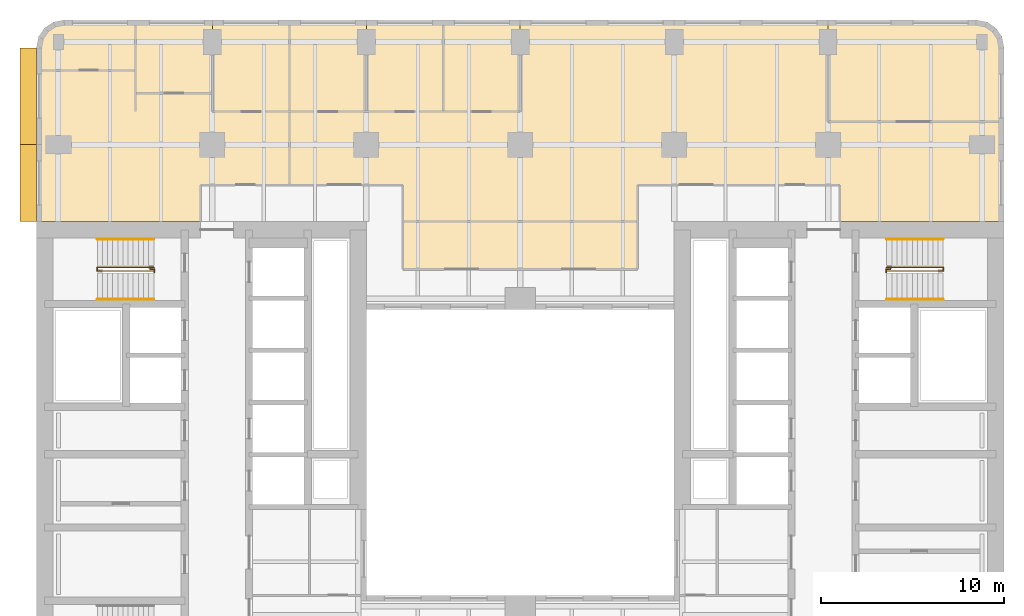
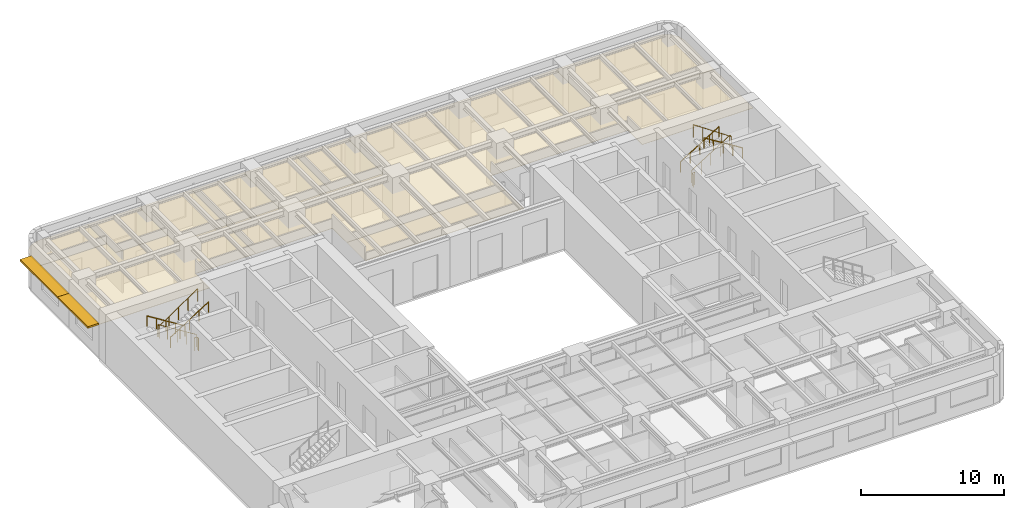
# One storey, part 11 of 11: 10 coverings, 8 railings, 2 shading devices.
"""IFC4 building model written with IfcOpenShell, lengths in metres."""

import ifcopenshell
import ifcopenshell.guid

model = None  # the IFC model being written
_history = None  # IfcOwnerHistory: only IFC2X3 demands one
_inside = {}  # id of a spatial element -> (the spatial element, [elements in it])
_under = {}  # id of a project, library or spatial element -> (it, [spatial elements below it])
_declared = {}  # id of a project -> (the project, [libraries it declares])
_typed = {}  # id of a type object -> (the type object, [elements of that type])
_made_of = {}  # id of a material, layer set ... -> (it, [elements and type objects made of it])


def new_model(schema):
    """Start an empty IFC model of exactly this schema.

    Asked for "IFC4X3", IfcOpenShell would pick the latest addendum, in which some entities
    have other attributes; the version numbers below select the first issue.
    IFC2X3 requires an IfcOwnerHistory on every rooted entity: one is made here for all.
    """
    global model, _history
    if schema == "IFC4X3":
        model = ifcopenshell.file(schema_version=(4, 3, 0, 0))
    else:
        model = ifcopenshell.file(schema=schema)
    _inside.clear()
    _under.clear()
    _declared.clear()
    _typed.clear()
    _made_of.clear()
    _history = None
    if model.schema == "IFC2X3":
        org = make("IfcOrganization", Name="unknown")
        user = make(
            "IfcPersonAndOrganization",
            ThePerson=make("IfcPerson", FamilyName="unknown"),
            TheOrganization=org,
        )
        app = make(
            "IfcApplication",
            ApplicationDeveloper=org,
            Version="unknown",
            ApplicationFullName="unknown",
            ApplicationIdentifier="unknown",
        )
        _history = make(
            "IfcOwnerHistory",
            OwningUser=user,
            OwningApplication=app,
            ChangeAction="ADDED",
            CreationDate=0,
        )
    return model


def make(cls, **values):
    """One entity of the class cls with the attributes given. An attribute that is None is left unset."""
    return model.create_entity(
        cls, **{name: value for name, value in values.items() if value is not None}
    )


def rooted(cls, **values):
    """An entity with a GlobalId (a new one), such as an element, a storey or a relation."""
    return make(cls, GlobalId=ifcopenshell.guid.new(), OwnerHistory=_history, **values)


def si_unit(unit_type, name, prefix=None):
    """IfcSIUnit, for example si_unit("LENGTHUNIT", "METRE", prefix="MILLI")."""
    return make("IfcSIUnit", UnitType=unit_type, Prefix=prefix, Name=name)


def assignment(units):
    """IfcUnitAssignment: the units of a project."""
    return None if units is None else make("IfcUnitAssignment", Units=units)


def point(xyz):
    """IfcCartesianPoint."""
    return None if xyz is None else make("IfcCartesianPoint", Coordinates=xyz)


def direction(xyz):
    """IfcDirection."""
    return None if xyz is None else make("IfcDirection", DirectionRatios=xyz)


def frame(location, z_axis=None, x_axis=None):
    """IfcAxis2Placement3D, a coordinate frame: its origin and axes. An axis left out is left unset."""
    return make(
        "IfcAxis2Placement3D",
        Location=point(location),
        Axis=direction(z_axis),
        RefDirection=direction(x_axis),
    )


def frame_2d(location, x_axis=None):
    """IfcAxis2Placement2D, a coordinate frame in the plane: its origin and x axis."""
    return make(
        "IfcAxis2Placement2D", Location=point(location), RefDirection=direction(x_axis)
    )


def origin():
    """The frame at (0, 0, 0) with its axes left unset."""
    return frame((0.0, 0.0, 0.0))


def origin_2d():
    """The frame at (0, 0) in the plane with its x axis left unset."""
    return frame_2d((0.0, 0.0))


def place(relative_to, where):
    """IfcLocalPlacement: puts the frame where relative to a parent placement (None: the world)."""
    return make(
        "IfcLocalPlacement", PlacementRelTo=relative_to, RelativePlacement=where
    )


def context(
    kind, dimensions, precision=None, world=None, true_north=None, identifier=None
):
    """IfcGeometricRepresentationContext, for example the 3D "Model" context."""
    return make(
        "IfcGeometricRepresentationContext",
        ContextIdentifier=identifier,
        ContextType=kind,
        CoordinateSpaceDimension=dimensions,
        Precision=precision,
        WorldCoordinateSystem=world,
        TrueNorth=true_north,
    )


def subcontext(parent, identifier, kind, view, scale=None):
    """IfcGeometricRepresentationSubContext, for example "Body" below "Model"."""
    return make(
        "IfcGeometricRepresentationSubContext",
        ContextIdentifier=identifier,
        ContextType=kind,
        ParentContext=parent,
        TargetScale=scale,
        TargetView=view,
    )


def project(units=None, contexts=None):
    """IfcProject with its units and contexts."""
    return rooted(
        "IfcProject",
        Name="project",
        RepresentationContexts=contexts,
        UnitsInContext=assignment(units),
    )


def spatial(cls, under=None, at=None, **own):
    """A site, building, storey or space (cls), placed at a placement, below another one or the project."""
    s = rooted(cls, ObjectPlacement=at, **own)
    if under is not None:
        _under.setdefault(under.id(), (under, []))[1].append(s)
    return s


def polyline(points):
    """IfcPolyline through the points."""
    return make("IfcPolyline", Points=[point(p) for p in points])


def profile(cls, at=None, kind="AREA", **sizes):
    """A parametric profile (cls). Its sizes go by their IFC names, for example OverallWidth=200.0."""
    return make(cls, ProfileType=kind, Position=at, **sizes)


def rectangle(**sizes):
    """IfcRectangleProfileDef."""
    return profile("IfcRectangleProfileDef", **sizes)


def circle(**sizes):
    """IfcCircleProfileDef."""
    return profile("IfcCircleProfileDef", **sizes)


def outline(outer, holes=None, kind="AREA"):
    """IfcArbitraryClosedProfileDef: a profile drawn as a closed curve; with holes, ...WithVoids."""
    if holes is None:
        return make("IfcArbitraryClosedProfileDef", ProfileType=kind, OuterCurve=outer)
    return make(
        "IfcArbitraryProfileDefWithVoids",
        ProfileType=kind,
        OuterCurve=outer,
        InnerCurves=holes,
    )


def extrude(swept, where, along, depth):
    """IfcExtrudedAreaSolid: the profile swept, set in the frame where, extruded along a direction by depth."""
    return make(
        "IfcExtrudedAreaSolid",
        SweptArea=swept,
        Position=where,
        ExtrudedDirection=direction(along),
        Depth=depth,
    )


def shape(context_of_items, identifier, shape_type, items):
    """IfcShapeRepresentation: the items that make up one representation, for example the "Body"."""
    return make(
        "IfcShapeRepresentation",
        ContextOfItems=context_of_items,
        RepresentationIdentifier=identifier,
        RepresentationType=shape_type,
        Items=items,
    )


def material(Name=None, Category=None):
    """IfcMaterial."""
    return make("IfcMaterial", Name=Name, Category=Category)


def layer(
    of_material, thickness, ventilated=None, Name=None, Category=None, Priority=None
):
    """IfcMaterialLayer: one layer of a wall or slab, of a material (None: an air gap)."""
    return make(
        "IfcMaterialLayer",
        Material=of_material,
        LayerThickness=thickness,
        IsVentilated=ventilated,
        Name=Name,
        Category=Category,
        Priority=Priority,
    )


def layer_set(layers, Name=None):
    """IfcMaterialLayerSet."""
    return make("IfcMaterialLayerSet", MaterialLayers=layers, LayerSetName=Name)


def made_of(thing, what):
    """Note that an element or type object is made of a material, layer set ...; save() writes the relation."""
    if what is not None:
        _made_of.setdefault(what.id(), (what, []))[1].append(thing)
    return thing


def type_object(cls, material=None, **own):
    """A type object (cls), such as IfcWallType, which elements share."""
    return made_of(rooted(cls, **own), material)


def element(
    cls,
    number,
    at=None,
    inside=None,
    cuts=None,
    type_object=None,
    material=None,
    context=None,
    identifier="Body",
    shape_type=None,
    held_by="IfcProductDefinitionShape",
    body=None,
    shapes=None,
    **own,
):
    """One element of the class cls, such as IfcWall. Its Tag is "e" and its number.

    at: its placement. inside: the storey or other place that contains it. cuts: it is an
    opening in that element (IfcRelVoidsElement). A single representation is given by context,
    identifier, shape_type and body (its items); several are given by shapes. held_by: the class
    of the entity that holds the representations. save() writes the other relations.
    """
    e = rooted(cls, Tag="e%d" % number, ObjectPlacement=at, **own)
    if body is not None:
        shapes = [shape(context, identifier, shape_type, body)]
    if shapes is not None:
        e.Representation = make(held_by, Representations=shapes)
    if inside is not None:
        _inside.setdefault(inside.id(), (inside, []))[1].append(e)
    if cuts is not None:
        rooted(
            "IfcRelVoidsElement", RelatingBuildingElement=cuts, RelatedOpeningElement=e
        )
    if type_object is not None:
        _typed.setdefault(type_object.id(), (type_object, []))[1].append(e)
    return made_of(e, material)


def aggregate(whole, parts):
    """IfcRelAggregates: a whole, such as a stair, and the parts it consists of."""
    return rooted("IfcRelAggregates", RelatingObject=whole, RelatedObjects=parts)


def save(model, path):
    """Write the relations noted so far, then the file.

    IfcRelAggregates (storeys below a building ...), IfcRelContainedInSpatialStructure (elements
    in a storey), IfcRelDefinesByType, IfcRelAssociatesMaterial and IfcRelDeclares: one each for
    every whole, place, type object, material and project.
    """
    for whole, parts in _under.values():
        aggregate(whole, parts)
    for where, things in _inside.values():
        rooted(
            "IfcRelContainedInSpatialStructure",
            RelatedElements=things,
            RelatingStructure=where,
        )
    for kind, things in _typed.values():
        rooted("IfcRelDefinesByType", RelatedObjects=things, RelatingType=kind)
    for what, things in _made_of.values():
        rooted("IfcRelAssociatesMaterial", RelatedObjects=things, RelatingMaterial=what)
    for by, libraries in _declared.values():
        rooted("IfcRelDeclares", RelatingContext=by, RelatedDefinitions=libraries)
    model.write(path)


model = new_model("IFC4")

# Units and contexts
model_context = context("Model", 3, precision=1e-05, world=origin(), true_north=direction((0.0, 1.0)))
body_context = subcontext(model_context, "Body", "Model", "MODEL_VIEW")
ifc_project = project(units=[si_unit("LENGTHUNIT", "METRE"), si_unit("AREAUNIT", "SQUARE_METRE"), si_unit("VOLUMEUNIT", "CUBIC_METRE"), si_unit("PLANEANGLEUNIT", "RADIAN"), si_unit("MASSUNIT", "GRAM", prefix="KILO")], contexts=[model_context])

# Site, building, storey
site_placement = place(None, origin())
site = spatial("IfcSite", under=ifc_project, at=site_placement, CompositionType="ELEMENT")
building_placement = place(site_placement, origin())
building = spatial("IfcBuilding", under=site, at=building_placement, Name="Claustro Exchange Tower", CompositionType="ELEMENT")
storey_placement = place(building_placement, frame((0.0, 0.0, 130.199951171875)))
storey = spatial("IfcBuildingStorey", under=building, at=storey_placement, Name="L29", CompositionType="ELEMENT", Elevation=130.199951171875)

# Coverings
ifc_material_1 = material(Name="Perforated metal ceiling tiles", Category="steel")
ifc_layer_1 = layer(ifc_material_1, 0.030029296875)
ifc_layer_set_1 = layer_set([ifc_layer_1], Name="Perforated metal ceiling tiles")
covering_type_1 = type_object("IfcCoveringType", Name="CL1 suspended metal ceiling", PredefinedType="CEILING", material=ifc_layer_set_1)
covering_1_placement = place(storey_placement, frame((0.0, 0.0, 2.800048828125)))
element("IfcCovering", 1, at=covering_1_placement, inside=storey, type_object=covering_type_1, Name="Ceiling CL1 L29-18", PredefinedType="CEILING", context=body_context, shape_type="SweptSolid", body=[
    extrude(outline(polyline([(-1.199951171875, 46.050048828125), (-1.199951171875, 37.800048828125), (7.75, 37.800048828125), (7.75, 39.800048828125), (12.60009765625, 39.800048828125), (12.60009765625, 43.800048828125), (8.39990234375, 43.800048828125), (8.39990234375, 44.800048828125), (4.199951171875, 44.800048828125), (4.199951171875, 46.050048828125), (-1.199951171875, 46.050048828125)])), origin(), (0.0, 0.0, 1.0), 0.030029296875),
])
ifc_material_2 = material(Name="Gypsum board ceiling", Category="gypsum board")
ifc_layer_2 = layer(ifc_material_2, 0.02490234375)
ifc_layer_set_2 = layer_set([ifc_layer_2], Name="Gypsum board ceiling")
covering_type_2 = type_object("IfcCoveringType", Name="CL2 plasterboard ceiling", PredefinedType="CEILING", material=ifc_layer_set_2)
covering_2_placement = place(storey_placement, frame((0.0, 0.0, 2.800048828125)))
element("IfcCovering", 2, at=covering_2_placement, inside=storey, type_object=covering_type_2, Name="Ceiling CL2 L29-16", PredefinedType="CEILING", context=body_context, shape_type="SweptSolid", body=[
    extrude(outline(polyline([(18.800048828125, 35.199951171875), (31.60009765625, 35.199951171875), (31.60009765625, 37.800048828125), (18.800048828125, 37.800048828125), (18.800048828125, 35.199951171875)])), origin(), (0.0, 0.0, 1.0), 0.02490234375),
])
covering_3_placement = place(storey_placement, frame((0.0, 0.0, 2.800048828125)))
element("IfcCovering", 3, at=covering_3_placement, inside=storey, type_object=covering_type_2, Name="Ceiling CL2 L29-19", PredefinedType="CEILING", context=body_context, shape_type="SweptSolid", body=[
    extrude(outline(polyline([(42.0, 48.800048828125), (25.199951171875, 48.800048828125), (25.199951171875, 43.800048828125), (21.0, 43.800048828125), (16.800048828125, 43.800048828125), (12.60009765625, 43.800048828125), (12.60009765625, 39.800048828125), (18.800048828125, 39.800048828125), (18.800048828125, 37.800048828125), (31.60009765625, 37.800048828125), (31.60009765625, 39.800048828125), (42.64990234375, 39.800048828125), (42.64990234375, 37.800048828125), (51.60009765625, 37.800048828125), (51.60009765625, 43.25), (42.0, 43.25), (42.0, 48.800048828125)])), origin(), (0.0, 0.0, 1.0), 0.02490234375),
])
covering_4_placement = place(storey_placement, frame((0.0, 0.0, 2.800048828125)))
element("IfcCovering", 4, at=covering_4_placement, inside=storey, type_object=covering_type_2, Name="Ceiling CL2 L29-20", PredefinedType="CEILING", context=body_context, shape_type="SweptSolid", body=[
    extrude(outline(polyline([(50.10009765625, 48.800048828125), (42.0, 48.800048828125), (42.0, 43.25), (51.60009765625, 43.25), (51.60009765625, 47.300048828125), (51.48583984375, 47.8740234375), (51.16064453125, 48.360595703125), (50.674072265625, 48.685791015625), (50.10009765625, 48.800048828125)])), origin(), (0.0, 0.0, 1.0), 0.02490234375),
])
covering_5_placement = place(storey_placement, frame((0.0, 0.0, 2.800048828125)))
element("IfcCovering", 5, at=covering_5_placement, inside=storey, type_object=covering_type_2, Name="Ceiling CL2 L29-21", PredefinedType="CEILING", context=body_context, shape_type="SweptSolid", body=[
    extrude(outline(polyline([(12.60009765625, 48.800048828125), (8.39990234375, 48.800048828125), (8.39990234375, 43.800048828125), (12.60009765625, 43.800048828125), (12.60009765625, 48.800048828125)])), origin(), (0.0, 0.0, 1.0), 0.02490234375),
])
covering_6_placement = place(storey_placement, frame((0.0, 0.0, 2.800048828125)))
element("IfcCovering", 6, at=covering_6_placement, inside=storey, type_object=covering_type_2, Name="Ceiling CL2 L29-22", PredefinedType="CEILING", context=body_context, shape_type="SweptSolid", body=[
    extrude(outline(polyline([(16.800048828125, 48.800048828125), (12.60009765625, 48.800048828125), (12.60009765625, 43.800048828125), (16.800048828125, 43.800048828125), (16.800048828125, 48.800048828125)])), origin(), (0.0, 0.0, 1.0), 0.02490234375),
])
covering_7_placement = place(storey_placement, frame((0.0, 0.0, 2.800048828125)))
element("IfcCovering", 7, at=covering_7_placement, inside=storey, type_object=covering_type_2, Name="Ceiling CL2 L29-23", PredefinedType="CEILING", context=body_context, shape_type="SweptSolid", body=[
    extrude(outline(polyline([(21.0, 48.800048828125), (16.800048828125, 48.800048828125), (16.800048828125, 43.800048828125), (21.0, 43.800048828125), (21.0, 48.800048828125)])), origin(), (0.0, 0.0, 1.0), 0.02490234375),
])
covering_8_placement = place(storey_placement, frame((0.0, 0.0, 2.800048828125)))
element("IfcCovering", 8, at=covering_8_placement, inside=storey, type_object=covering_type_2, Name="Ceiling CL2 L29-24", PredefinedType="CEILING", context=body_context, shape_type="SweptSolid", body=[
    extrude(outline(polyline([(25.199951171875, 48.800048828125), (21.0, 48.800048828125), (21.0, 43.800048828125), (25.199951171875, 43.800048828125), (25.199951171875, 48.800048828125)])), origin(), (0.0, 0.0, 1.0), 0.02490234375),
])
covering_9_placement = place(storey_placement, frame((0.0, 0.0, 2.800048828125)))
element("IfcCovering", 9, at=covering_9_placement, inside=storey, type_object=covering_type_2, Name="Ceiling CL2 L29-25", PredefinedType="CEILING", context=body_context, shape_type="SweptSolid", body=[
    extrude(outline(polyline([(8.39990234375, 48.800048828125), (4.199951171875, 48.800048828125), (4.199951171875, 44.800048828125), (8.39990234375, 44.800048828125), (8.39990234375, 48.800048828125)])), origin(), (0.0, 0.0, 1.0), 0.02490234375),
])
covering_10_placement = place(storey_placement, frame((0.0, 0.0, 2.800048828125)))
element("IfcCovering", 10, at=covering_10_placement, inside=storey, type_object=covering_type_2, Name="Ceiling CL2 L29-26", PredefinedType="CEILING", context=body_context, shape_type="SweptSolid", body=[
    extrude(outline(polyline([(-1.199951171875, 47.300048828125), (-1.199951171875, 46.050048828125), (4.199951171875, 46.050048828125), (4.199951171875, 48.800048828125), (0.300048828125, 48.800048828125), (-0.27392578125, 48.685791015625), (-0.7607421875, 48.360595703125), (-1.085693359375, 47.8740234375), (-1.199951171875, 47.300048828125)])), origin(), (0.0, 0.0, 1.0), 0.02490234375),
])

# Railings
ifc_material_3 = material(Name="Steel balustrade, painted", Category="steel")
railing_type_1 = type_object("IfcRailingType", Name="GR2 1100 steel stair guard", PredefinedType="GUARDRAIL", material=ifc_material_3)
railing_1_placement = place(storey_placement, frame((5.199951171875, 35.300048828125, 0.175048828125)))
element("IfcRailing", 11, at=railing_1_placement, inside=storey, type_object=railing_type_1, Name="Stair well guard GR2 stair STWB L29", PredefinedType="GUARDRAIL", context=body_context, shape_type="SweptSolid", body=[
    extrude(circle(Radius=0.02392578125, at=origin_2d()), frame((0.0, 0.0, 1.076171875), z_axis=(-0.847979421464, 0.0, 0.530029150871), x_axis=(0.0, -1.0, 0.0)), (0.0, 0.0, 1.0), 3.632080078125),
    extrude(circle(Radius=0.02392578125, at=origin_2d()), frame((-3.079833984375, 0.0, 3.0009765625), z_axis=(0.0, -1.0, 0.0), x_axis=(1.0, 0.0, 0.0)), (0.0, 0.0, 1.0), 0.199951171875),
    extrude(circle(Radius=0.02392578125, at=origin_2d()), frame((-3.079833984375, -0.199951171875, 3.0009765625), z_axis=(0.826231499792, 0.0, 0.563330727682), x_axis=(0.0, 1.0, 0.0)), (0.0, 0.0, 1.0), 3.7275390625),
    extrude(circle(Radius=0.02099609375, at=origin_2d()), origin(), (0.0, 0.0, 1.0), 1.052001953125),
    extrude(circle(Radius=0.02099609375, at=origin_2d()), frame((-0.77001953125, 0.0, 0.481201171875)), (0.0, 0.0, 1.0), 1.052001953125),
    extrude(circle(Radius=0.02099609375, at=origin_2d()), frame((-1.5400390625, 0.0, 0.96240234375)), (0.0, 0.0, 1.0), 1.052001953125),
    extrude(circle(Radius=0.02099609375, at=origin_2d()), frame((-2.309814453125, 0.0, 1.44384765625)), (0.0, 0.0, 1.0), 1.052001953125),
    extrude(circle(Radius=0.02099609375, at=origin_2d()), frame((-3.079833984375, 0.0, 1.925048828125)), (0.0, 0.0, 1.0), 1.052001953125),
    extrude(circle(Radius=0.02099609375, at=origin_2d()), frame((-3.079833984375, -0.199951171875, 1.925048828125)), (0.0, 0.0, 1.0), 1.052001953125),
    extrude(circle(Radius=0.02099609375, at=origin_2d()), frame((-2.309814453125, -0.199951171875, 2.449951171875)), (0.0, 0.0, 1.0), 1.052001953125),
    extrude(circle(Radius=0.02099609375, at=origin_2d()), frame((-1.5400390625, -0.199951171875, 2.97509765625)), (0.0, 0.0, 1.0), 1.052001953125),
    extrude(circle(Radius=0.02099609375, at=origin_2d()), frame((-0.77001953125, -0.199951171875, 3.5)), (0.0, 0.0, 1.0), 1.052001953125),
    extrude(circle(Radius=0.02099609375, at=origin_2d()), frame((0.0, -0.199951171875, 4.02490234375)), (0.0, 0.0, 1.0), 1.052001953125),
])
railing_2_placement = place(storey_placement, frame((5.0, 35.22998046875, 0.0)))
element("IfcRailing", 12, at=railing_2_placement, inside=storey, type_object=railing_type_1, Name="Stair guard GR2 STWB L29", PredefinedType="GUARDRAIL", context=body_context, shape_type="SweptSolid", body=[
    extrude(circle(Radius=0.02392578125, at=origin_2d()), frame((0.0, 0.0, 1.076171875), z_axis=(0.0, -1.0, 0.0), x_axis=(1.0, 0.0, 0.0)), (0.0, 0.0, 1.0), 0.030029296875),
    extrude(circle(Radius=0.02392578125, at=origin_2d()), frame((0.0, -0.030029296875, 1.076171875), z_axis=(1.0, 0.0, 0.0), x_axis=(0.0, 1.0, 0.0)), (0.0, 0.0, 1.0), 0.22509765625),
    extrude(circle(Radius=0.02392578125, at=origin_2d()), frame((0.22509765625, -0.030029296875, 1.076171875), z_axis=(0.0, -1.0, 0.0), x_axis=(1.0, 0.0, 0.0)), (0.0, 0.0, 1.0), 0.179931640625),
    extrude(circle(Radius=0.02099609375, at=origin_2d()), origin(), (0.0, 0.0, 1.0), 1.052001953125),
    extrude(circle(Radius=0.02099609375, at=origin_2d()), frame((0.0, -0.030029296875, 0.0)), (0.0, 0.0, 1.0), 1.052001953125),
    extrude(circle(Radius=0.02099609375, at=origin_2d()), frame((0.22509765625, -0.030029296875, 0.0)), (0.0, 0.0, 1.0), 1.052001953125),
    extrude(circle(Radius=0.02099609375, at=origin_2d()), frame((0.22509765625, -0.2099609375, 0.0)), (0.0, 0.0, 1.0), 1.052001953125),
])
railing_3_placement = place(storey_placement, frame((45.199951171875, 35.300048828125, 0.175048828125)))
element("IfcRailing", 13, at=railing_3_placement, inside=storey, type_object=railing_type_1, Name="Stair well guard GR2 stair STEB L29", PredefinedType="GUARDRAIL", context=body_context, shape_type="SweptSolid", body=[
    extrude(circle(Radius=0.02392578125, at=origin_2d()), frame((0.0, 0.0, 1.076171875), z_axis=(0.847998304005, 0.0, 0.529998940003), x_axis=(0.0, 1.0, 0.0)), (0.0, 0.0, 1.0), 3.632080078125),
    extrude(circle(Radius=0.02392578125, at=origin_2d()), frame((3.080078125, 0.0, 3.0009765625), z_axis=(0.0, -1.0, 0.0), x_axis=(1.0, 0.0, 0.0)), (0.0, 0.0, 1.0), 0.199951171875),
    extrude(circle(Radius=0.02392578125, at=origin_2d()), frame((3.080078125, -0.199951171875, 3.0009765625), z_axis=(-0.826252282691, 0.0, 0.563300244406), x_axis=(0.0, -1.0, 0.0)), (0.0, 0.0, 1.0), 3.727783203125),
    extrude(circle(Radius=0.02099609375, at=origin_2d()), origin(), (0.0, 0.0, 1.0), 1.052001953125),
    extrude(circle(Radius=0.02099609375, at=origin_2d()), frame((0.77001953125, 0.0, 0.481201171875)), (0.0, 0.0, 1.0), 1.052001953125),
    extrude(circle(Radius=0.02099609375, at=origin_2d()), frame((1.5400390625, 0.0, 0.96240234375)), (0.0, 0.0, 1.0), 1.052001953125),
    extrude(circle(Radius=0.02099609375, at=origin_2d()), frame((2.31005859375, 0.0, 1.44384765625)), (0.0, 0.0, 1.0), 1.052001953125),
    extrude(circle(Radius=0.02099609375, at=origin_2d()), frame((3.080078125, 0.0, 1.925048828125)), (0.0, 0.0, 1.0), 1.052001953125),
    extrude(circle(Radius=0.02099609375, at=origin_2d()), frame((3.080078125, -0.199951171875, 1.925048828125)), (0.0, 0.0, 1.0), 1.052001953125),
    extrude(circle(Radius=0.02099609375, at=origin_2d()), frame((2.31005859375, -0.199951171875, 2.449951171875)), (0.0, 0.0, 1.0), 1.052001953125),
    extrude(circle(Radius=0.02099609375, at=origin_2d()), frame((1.5400390625, -0.199951171875, 2.97509765625)), (0.0, 0.0, 1.0), 1.052001953125),
    extrude(circle(Radius=0.02099609375, at=origin_2d()), frame((0.77001953125, -0.199951171875, 3.5)), (0.0, 0.0, 1.0), 1.052001953125),
    extrude(circle(Radius=0.02099609375, at=origin_2d()), frame((0.0, -0.199951171875, 4.02490234375)), (0.0, 0.0, 1.0), 1.052001953125),
])
railing_4_placement = place(storey_placement, frame((45.39990234375, 35.22998046875, 0.0)))
element("IfcRailing", 14, at=railing_4_placement, inside=storey, type_object=railing_type_1, Name="Stair guard GR2 STEB L29", PredefinedType="GUARDRAIL", context=body_context, shape_type="SweptSolid", body=[
    extrude(circle(Radius=0.02392578125, at=origin_2d()), frame((0.0, 0.0, 1.076171875), z_axis=(0.0, -1.0, 0.0), x_axis=(1.0, 0.0, 0.0)), (0.0, 0.0, 1.0), 0.030029296875),
    extrude(circle(Radius=0.02392578125, at=origin_2d()), frame((0.0, -0.030029296875, 1.076171875), z_axis=(-1.0, 0.0, 0.0), x_axis=(0.0, -1.0, 0.0)), (0.0, 0.0, 1.0), 0.224853515625),
    extrude(circle(Radius=0.02392578125, at=origin_2d()), frame((-0.224853515625, -0.030029296875, 1.076171875), z_axis=(0.0, -1.0, 0.0), x_axis=(1.0, 0.0, 0.0)), (0.0, 0.0, 1.0), 0.179931640625),
    extrude(circle(Radius=0.02099609375, at=origin_2d()), origin(), (0.0, 0.0, 1.0), 1.052001953125),
    extrude(circle(Radius=0.02099609375, at=origin_2d()), frame((0.0, -0.030029296875, 0.0)), (0.0, 0.0, 1.0), 1.052001953125),
    extrude(circle(Radius=0.02099609375, at=origin_2d()), frame((-0.224853515625, -0.030029296875, 0.0)), (0.0, 0.0, 1.0), 1.052001953125),
    extrude(circle(Radius=0.02099609375, at=origin_2d()), frame((-0.224853515625, -0.2099609375, 0.0)), (0.0, 0.0, 1.0), 1.052001953125),
])
ifc_material_4 = material(Name="Stainless steel tube", Category="steel")
railing_type_2 = type_object("IfcRailingType", Name="HR1 900 stair handrail", PredefinedType="HANDRAIL", material=ifc_material_4)
railing_5_placement = place(storey_placement, frame((5.199951171875, 36.840087890625, 0.175048828125)))
element("IfcRailing", 15, at=railing_5_placement, inside=storey, type_object=railing_type_2, Name="Handrail HR1 stair STWB L29", PredefinedType="HANDRAIL", context=body_context, shape_type="SweptSolid", body=[
    extrude(circle(Radius=0.02392578125, at=origin_2d()), frame((0.0, 0.0, 0.8759765625), z_axis=(-0.847979421464, 0.0, 0.530029150871), x_axis=(0.0, -1.0, 0.0)), (0.0, 0.0, 1.0), 3.632080078125),
    extrude(circle(Radius=0.02099609375, at=origin_2d()), origin(), (0.0, 0.0, 1.0), 0.851806640625),
    extrude(circle(Radius=0.02099609375, at=origin_2d()), frame((-0.77001953125, 0.0, 0.481201171875)), (0.0, 0.0, 1.0), 0.851806640625),
    extrude(circle(Radius=0.02099609375, at=origin_2d()), frame((-1.5400390625, 0.0, 0.96240234375)), (0.0, 0.0, 1.0), 0.851806640625),
    extrude(circle(Radius=0.02099609375, at=origin_2d()), frame((-2.309814453125, 0.0, 1.44384765625)), (0.0, 0.0, 1.0), 0.851806640625),
    extrude(circle(Radius=0.02099609375, at=origin_2d()), frame((-3.079833984375, 0.0, 1.925048828125)), (0.0, 0.0, 1.0), 0.851806640625),
])
railing_6_placement = place(storey_placement, frame((2.1201171875, 33.56005859375, 2.275146484375)))
element("IfcRailing", 16, at=railing_6_placement, inside=storey, type_object=railing_type_2, Name="Handrail HR1 stair STWB L29", PredefinedType="HANDRAIL", context=body_context, shape_type="SweptSolid", body=[
    extrude(circle(Radius=0.02392578125, at=origin_2d()), frame((0.0, 0.0, 0.8759765625), z_axis=(0.848009633417, 0.0, 0.529980812513), x_axis=(0.0, 1.0, 0.0)), (0.0, 0.0, 1.0), 3.6318359375),
    extrude(circle(Radius=0.02099609375, at=origin_2d()), origin(), (0.0, 0.0, 1.0), 0.851806640625),
    extrude(circle(Radius=0.02099609375, at=origin_2d()), frame((0.77001953125, 0.0, 0.481201171875)), (0.0, 0.0, 1.0), 0.851806640625),
    extrude(circle(Radius=0.02099609375, at=origin_2d()), frame((1.5400390625, 0.0, 0.96240234375)), (0.0, 0.0, 1.0), 0.851806640625),
    extrude(circle(Radius=0.02099609375, at=origin_2d()), frame((2.309814453125, 0.0, 1.443603515625)), (0.0, 0.0, 1.0), 0.851806640625),
    extrude(circle(Radius=0.02099609375, at=origin_2d()), frame((3.079833984375, 0.0, 1.9248046875)), (0.0, 0.0, 1.0), 0.851806640625),
])
railing_7_placement = place(storey_placement, frame((45.199951171875, 36.840087890625, 0.175048828125)))
element("IfcRailing", 17, at=railing_7_placement, inside=storey, type_object=railing_type_2, Name="Handrail HR1 stair STEB L29", PredefinedType="HANDRAIL", context=body_context, shape_type="SweptSolid", body=[
    extrude(circle(Radius=0.02392578125, at=origin_2d()), frame((0.0, 0.0, 0.8759765625), z_axis=(0.847998304005, 0.0, 0.529998940003), x_axis=(0.0, 1.0, 0.0)), (0.0, 0.0, 1.0), 3.632080078125),
    extrude(circle(Radius=0.02099609375, at=origin_2d()), origin(), (0.0, 0.0, 1.0), 0.851806640625),
    extrude(circle(Radius=0.02099609375, at=origin_2d()), frame((0.77001953125, 0.0, 0.481201171875)), (0.0, 0.0, 1.0), 0.851806640625),
    extrude(circle(Radius=0.02099609375, at=origin_2d()), frame((1.5400390625, 0.0, 0.96240234375)), (0.0, 0.0, 1.0), 0.851806640625),
    extrude(circle(Radius=0.02099609375, at=origin_2d()), frame((2.31005859375, 0.0, 1.44384765625)), (0.0, 0.0, 1.0), 0.851806640625),
    extrude(circle(Radius=0.02099609375, at=origin_2d()), frame((3.080078125, 0.0, 1.925048828125)), (0.0, 0.0, 1.0), 0.851806640625),
])
railing_8_placement = place(storey_placement, frame((48.280029296875, 33.56005859375, 2.275146484375)))
element("IfcRailing", 18, at=railing_8_placement, inside=storey, type_object=railing_type_2, Name="Handrail HR1 stair STEB L29", PredefinedType="HANDRAIL", context=body_context, shape_type="SweptSolid", body=[
    extrude(circle(Radius=0.02392578125, at=origin_2d()), frame((0.0, 0.0, 0.8759765625), z_axis=(-0.848028513186, 0.0, 0.529950602248), x_axis=(0.0, -1.0, 0.0)), (0.0, 0.0, 1.0), 3.632080078125),
    extrude(circle(Radius=0.02099609375, at=origin_2d()), origin(), (0.0, 0.0, 1.0), 0.851806640625),
    extrude(circle(Radius=0.02099609375, at=origin_2d()), frame((-0.77001953125, 0.0, 0.481201171875)), (0.0, 0.0, 1.0), 0.851806640625),
    extrude(circle(Radius=0.02099609375, at=origin_2d()), frame((-1.5400390625, 0.0, 0.96240234375)), (0.0, 0.0, 1.0), 0.851806640625),
    extrude(circle(Radius=0.02099609375, at=origin_2d()), frame((-2.31005859375, 0.0, 1.443603515625)), (0.0, 0.0, 1.0), 0.851806640625),
    extrude(circle(Radius=0.02099609375, at=origin_2d()), frame((-3.080078125, 0.0, 1.9248046875)), (0.0, 0.0, 1.0), 0.851806640625),
])

# Shading devices
ifc_material_5 = material(Name="Concrete HA-40 (C40/50), precast, white cement, acid-etched", Category="concrete")
ifc_layer_3 = layer(ifc_material_5, 0.14990234375)
ifc_layer_set_3 = layer_set([ifc_layer_3], Name="Concrete HA-40 (C40/50), precast, white cement, acid-etched")
shading_device_type = type_object("IfcShadingDeviceType", Name="SS2 900 precast concrete SUNSHADE", PredefinedType="SHUTTER", material=ifc_layer_set_3)
shading_device_1_placement = place(storey_placement, frame((-1.64990234375, 39.89990234375, 2.800048828125), z_axis=(0.0, 0.0, 1.0), x_axis=(0.0, 1.0, 0.0)))
element("IfcShadingDevice", 19, at=shading_device_1_placement, inside=storey, type_object=shading_device_type, Name="Precast SUNSHADE SS2 L29", PredefinedType="SHUTTER", context=body_context, shape_type="SweptSolid", body=[
    extrude(rectangle(XDim=4.199951171875, YDim=0.89990234375, at=origin_2d()), origin(), (0.0, 0.0, 1.0), 0.14990234375),
])
shading_device_2_placement = place(storey_placement, frame((-1.64990234375, 44.642578125, 2.800048828125), z_axis=(0.0, 0.0, 1.0), x_axis=(0.0, 1.0, 0.0)))
element("IfcShadingDevice", 20, at=shading_device_2_placement, inside=storey, type_object=shading_device_type, Name="Precast SUNSHADE SS2 L29", PredefinedType="SHUTTER", context=body_context, shape_type="SweptSolid", body=[
    extrude(rectangle(XDim=5.28515625, YDim=0.89990234375, at=origin_2d()), origin(), (0.0, 0.0, 1.0), 0.14990234375),
])

save(model, "model.ifc")
